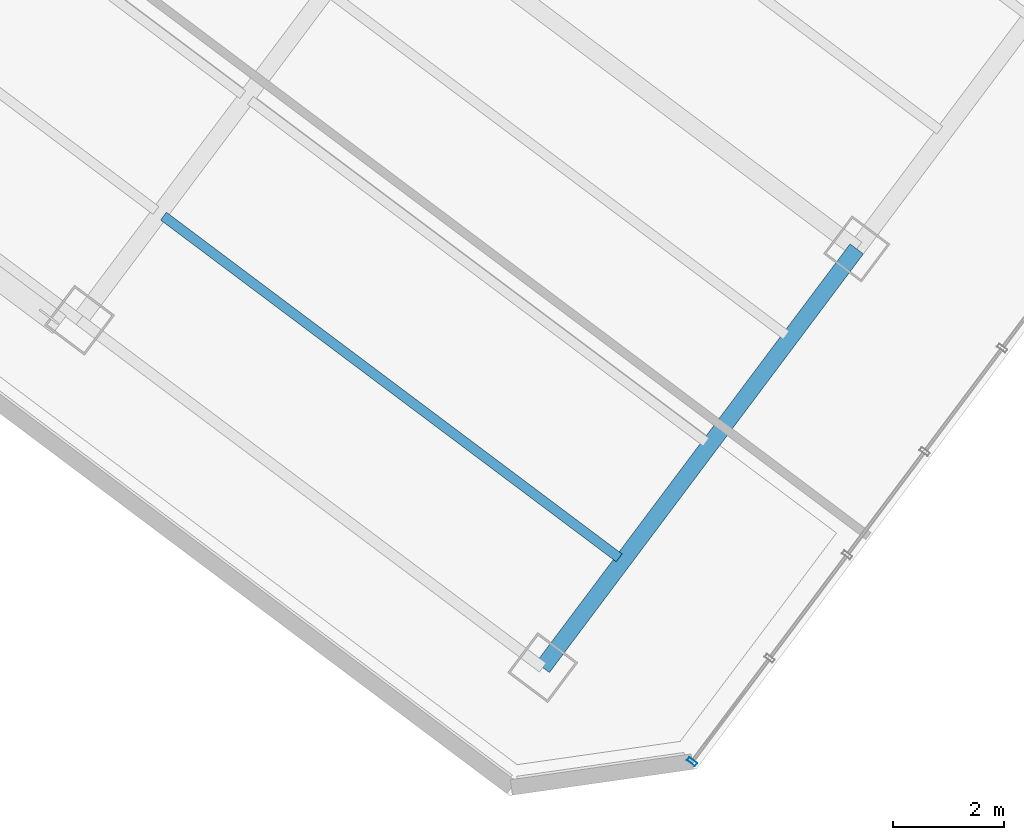
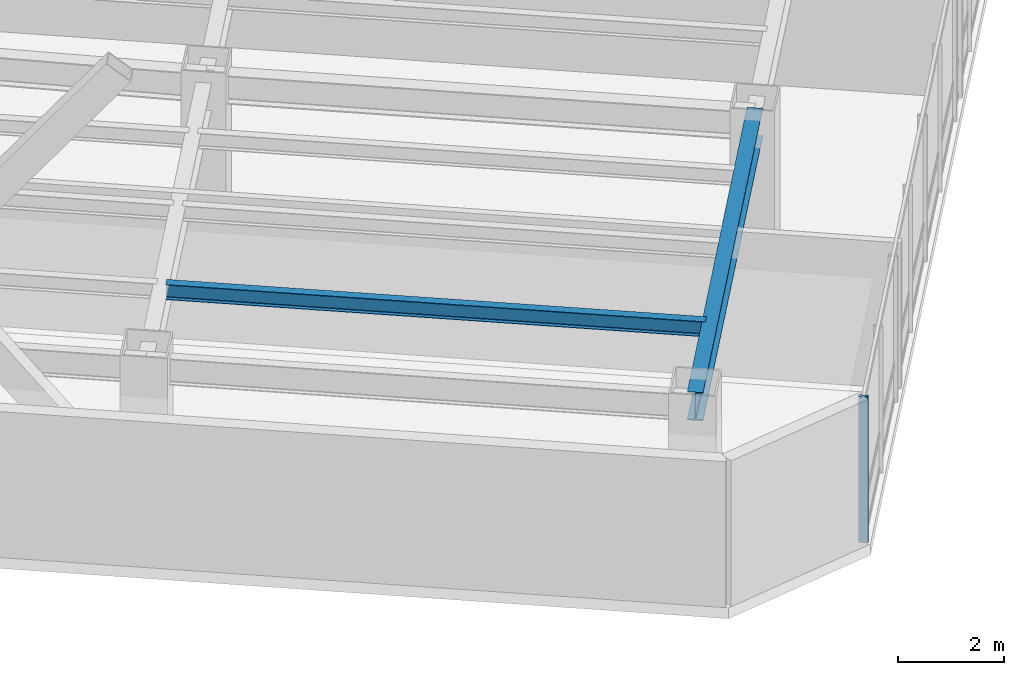
# One storey, part 6 of 29: 2 beams, 1 member, 1 element without a shape of its own.
"""IFC4 building model written with IfcOpenShell, lengths in metres."""

from ifc_helpers import new_model, si_unit, direction, frame, origin, origin_2d, place, context, subcontext, project, spatial, hollow_rectangle, i_section, extrude, material, layer, layer_set, material_profile, profile_set, type_object, element, aggregate, save


model = new_model("IFC4")

# Units and contexts
model_context = context("Model", 3, precision=1e-05, world=origin(), true_north=direction((0.0, 1.0)))
body_context = subcontext(model_context, "Body", "Model", "MODEL_VIEW")
ifc_project = project(units=[si_unit("LENGTHUNIT", "METRE"), si_unit("AREAUNIT", "SQUARE_METRE"), si_unit("VOLUMEUNIT", "CUBIC_METRE"), si_unit("PLANEANGLEUNIT", "RADIAN"), si_unit("MASSUNIT", "GRAM", prefix="KILO")], contexts=[model_context])

# Site, building, storey
site_placement = place(None, origin())
site = spatial("IfcSite", under=ifc_project, at=site_placement, CompositionType="ELEMENT")
building_placement = place(site_placement, origin())
building = spatial("IfcBuilding", under=site, at=building_placement, Name="Hatsunagi Terrace Concourse", CompositionType="ELEMENT")
storey_placement = place(building_placement, frame((0.0, 0.0, 108.449951171875)))
storey = spatial("IfcBuildingStorey", under=building, at=storey_placement, Name="L28", CompositionType="ELEMENT", Elevation=108.449951171875)

# Curtain wall, member
ifc_material_1 = material(Name="Anodised Aluminium Alloy 6063-T5", Category="aluminium")
ifc_layer = layer(ifc_material_1, 0.199951171875)
ifc_layer_set = layer_set([ifc_layer], Name="OfficeZone1_CW03")
curtain_wall_type = type_object("IfcCurtainWallType", Name="OfficeZone1_CW03", PredefinedType="NOTDEFINED", material=ifc_layer_set)
curtain_wall_placement = place(storey_placement, origin())
curtain_wall = element("IfcCurtainWall", 1, at=curtain_wall_placement, inside=storey, type_object=curtain_wall_type, Name="Unitised Curtain Wall CW-03 CW-L28-03", PredefinedType="NOTDEFINED")
ifc_material_2 = material(Name="Anodised Aluminium Alloy 6063-T5", Category="aluminium")
ifc_material_profile_1 = material_profile(ifc_material_2, hollow_rectangle(XDim=0.070068359375, YDim=0.179931640625, WallThickness=0.00390625, at=origin_2d()), Name="ALU-MUL-180x70x4")
ifc_profile_set_1 = profile_set([ifc_material_profile_1], Name="Anodised Aluminium Alloy 6063-T5")
member_type = type_object("IfcMemberType", Name="CurtainWallMullion_180x70", PredefinedType="MULLION", material=ifc_profile_set_1)
member_placement = place(storey_placement, frame((56.56298828125, 2.949951171875, 0.0), z_axis=(0.0, 0.0, 1.0), x_axis=(-0.599969314634, -0.800023013105, 0.0)))
member = element("IfcMember", 2, at=member_placement, type_object=member_type, Name="Curtain Wall Mullion MUL-02", PredefinedType="MULLION", context=body_context, shape_type="SweptSolid", body=[
    extrude(hollow_rectangle(XDim=0.070068359375, YDim=0.179931640625, WallThickness=0.00390625, at=origin_2d()), origin(), (0.0, 0.0, 1.0), 3.35009765625),
])
aggregate(curtain_wall, [member])

# Beams
ifc_material_3 = material(Name="Steel SN490B", Category="steel")
ifc_material_profile_2 = material_profile(ifc_material_3, i_section(OverallWidth=0.175048828125, OverallDepth=0.35009765625, WebThickness=0.007080078125, FlangeThickness=0.010986328125, FilletRadius=0.012939453125, at=origin_2d()), Name="H-350x175x7x11")
ifc_profile_set_2 = profile_set([ifc_material_profile_2], Name="Steel SN490B")
beam_type_1 = type_object("IfcBeamType", Name="HotelJoist_H_350x175", PredefinedType="JOIST", material=ifc_profile_set_2)
beam_1_placement = place(storey_placement, frame((47.068115234375, 12.7490234375, 3.175048828125), z_axis=(0.799997136125, -0.600003818481, 0.0), x_axis=(0.600003818481, 0.799997136125, 0.0)))
element("IfcBeam", 3, at=beam_1_placement, inside=storey, type_object=beam_type_1, Name="Beam J-02 J-L28-SE-3-46", PredefinedType="JOIST", context=body_context, shape_type="SweptSolid", body=[
    extrude(i_section(OverallWidth=0.175048828125, OverallDepth=0.35009765625, WebThickness=0.007080078125, FlangeThickness=0.010986328125, FilletRadius=0.012939453125, at=origin_2d()), origin(), (0.0, 0.0, 1.0), 10.229736328125),
])
ifc_material_4 = material(Name="Steel SN490B", Category="steel")
ifc_material_profile_3 = material_profile(ifc_material_4, i_section(OverallWidth=0.300048828125, OverallDepth=0.64990234375, WebThickness=0.012939453125, FlangeThickness=0.02197265625, FilletRadius=0.01806640625, at=origin_2d()), Name="H-650x300x13x22")
ifc_profile_set_3 = profile_set([ifc_material_profile_3], Name="Steel SN490B")
beam_type_2 = type_object("IfcBeamType", Name="OfficeLowGirder_H_650x300", PredefinedType="BEAM", material=ifc_profile_set_3)
beam_2_placement = place(storey_placement, frame((53.8798828125, 4.639892578125, 3.025146484375), z_axis=(0.600008311051, 0.799993766644, 0.0), x_axis=(-0.799993766644, 0.600008311051, 0.0)))
element("IfcBeam", 4, at=beam_2_placement, inside=storey, type_object=beam_type_2, Name="Beam G-05 BM-L28-SET-3A", PredefinedType="BEAM", context=body_context, shape_type="SweptSolid", body=[
    extrude(i_section(OverallWidth=0.300048828125, OverallDepth=0.64990234375, WebThickness=0.012939453125, FlangeThickness=0.02197265625, FilletRadius=0.01806640625, at=origin_2d()), origin(), (0.0, 0.0, 1.0), 9.400146484375),
])

save(model, "model.ifc")
